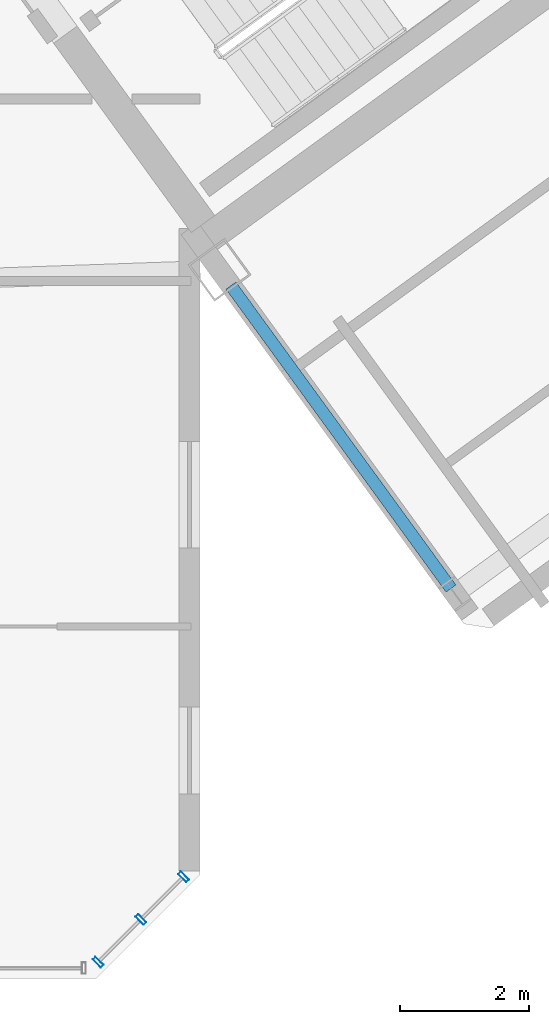
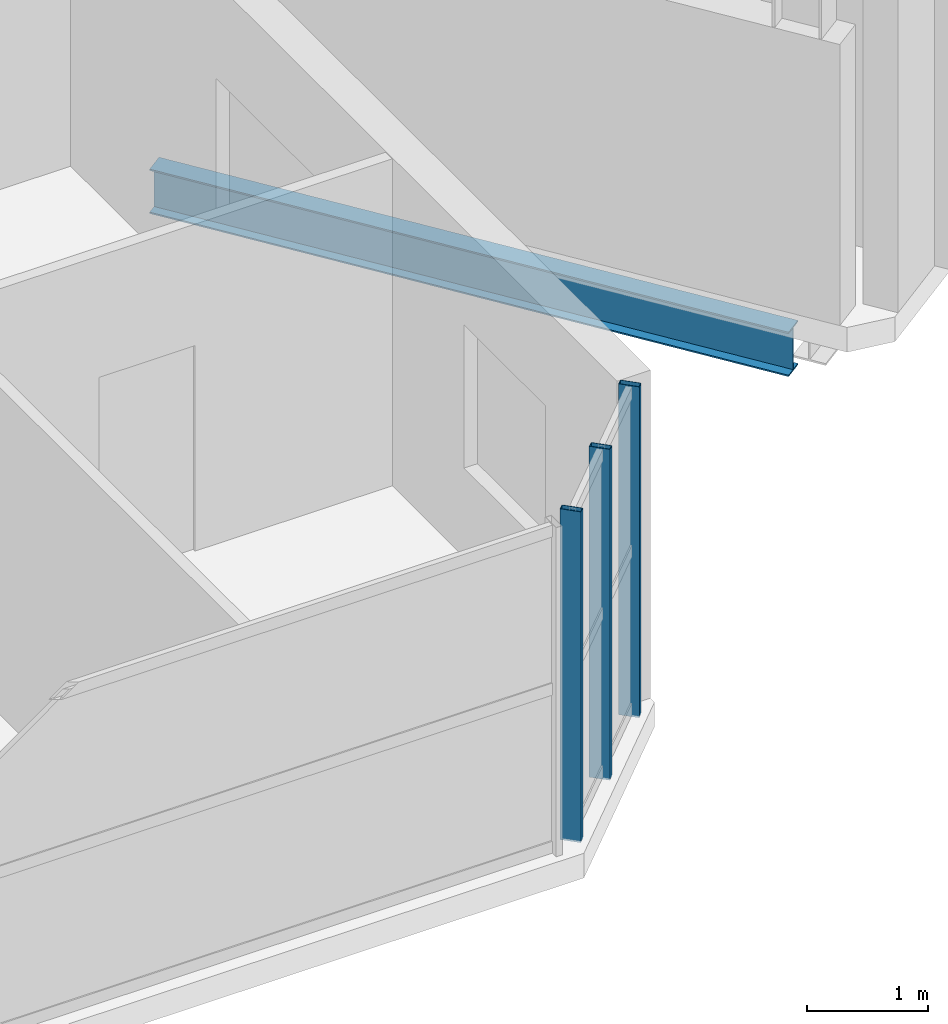
# One storey, part 10 of 25: 3 members, 1 beam, 1 element without a shape of its own.
"""IFC4 building model written with IfcOpenShell, lengths in metres."""

from ifc_helpers import new_model, si_unit, direction, frame, origin, origin_2d, place, context, subcontext, project, spatial, hollow_rectangle, i_section, extrude, source, transform, mapped, material, material_profile, profile_set, type_object, element, aggregate, save


model = new_model("IFC4")

# Units and contexts
model_context = context("Model", 3, precision=1e-05, world=origin(), true_north=direction((0.0, 1.0)))
body_context = subcontext(model_context, "Body", "Model", "MODEL_VIEW")
ifc_project = project(units=[si_unit("LENGTHUNIT", "METRE"), si_unit("AREAUNIT", "SQUARE_METRE"), si_unit("VOLUMEUNIT", "CUBIC_METRE"), si_unit("PLANEANGLEUNIT", "RADIAN"), si_unit("MASSUNIT", "GRAM", prefix="KILO")], contexts=[model_context])

# Site, building, storey
site_placement = place(None, origin())
site = spatial("IfcSite", under=ifc_project, at=site_placement, CompositionType="ELEMENT")
building_placement = place(site_placement, origin())
building = spatial("IfcBuilding", under=site, at=building_placement, Name="Tlacorven Tower", CompositionType="ELEMENT")
storey_placement = place(building_placement, frame((0.0, 0.0, 251.10009765625)))
storey = spatial("IfcBuildingStorey", under=building, at=storey_placement, Name="L63", CompositionType="ELEMENT", Elevation=251.10009765625)

# Beam
ifc_material_1 = material(Name="Steel S355J2", Category="steel")
ifc_material_profile_1 = material_profile(ifc_material_1, i_section(OverallWidth=0.18994140625, OverallDepth=0.449951171875, WebThickness=0.009521484375, FlangeThickness=0.0146484375, at=origin_2d()), Name="IPE 450")
ifc_profile_set_1 = profile_set([ifc_material_profile_1], Name="Steel S355J2")
beam_type = type_object("IfcBeamType", Name="BM-TWR-450", PredefinedType="BEAM", material=ifc_profile_set_1)
shared_shape_1 = source(origin(), body_context, "Body", "SweptSolid", [
    extrude(i_section(OverallWidth=0.18994140625, OverallDepth=0.449951171875, WebThickness=0.009521484375, FlangeThickness=0.0146484375, at=origin_2d()), origin(), (0.0, 0.0, 1.0), 5.800048828125),
])
beam_placement = place(storey_placement, frame((56.291015625, 7.83837890625, -0.47509765625), z_axis=(-0.587781191743, 0.809019944521, 0.0), x_axis=(-0.809019944521, -0.587781191743, 0.0)))
element("IfcBeam", 1, at=beam_placement, inside=storey, type_object=beam_type, Name="L63 beam BM-L63-ET1-1", PredefinedType="BEAM", context=body_context, shape_type="MappedRepresentation", body=[
    mapped(shared_shape_1, transform((0.0, 0.0, 0.0), scale=1.0)),
])

# Curtain wall, members
ifc_material_2 = material(Name="Dark solar low-E double glazing in aluminium frame", Category="aluminium")
curtain_wall_type = type_object("IfcCurtainWallType", Name="CW-TWR-HIGH", PredefinedType="USERDEFINED", material=ifc_material_2)
curtain_wall_placement = place(storey_placement, origin())
curtain_wall = element("IfcCurtainWall", 2, at=curtain_wall_placement, inside=storey, type_object=curtain_wall_type, Name="L63 CW-TWR-HIGH Curtain Wall 290", ObjectType="UNITISED CURTAIN WALL", PredefinedType="USERDEFINED")
ifc_material_3 = material(Name="Aluminium 6063-T6 anodised", Category="aluminium")
ifc_material_profile_2 = material_profile(ifc_material_3, hollow_rectangle(XDim=0.06005859375, YDim=0.179931640625, WallThickness=0.00390625, at=origin_2d()), Name="ALU MULLION 60X180")
ifc_profile_set_2 = profile_set([ifc_material_profile_2], Name="Aluminium 6063-T6 anodised")
member_type = type_object("IfcMemberType", Name="CWM-03", PredefinedType="MULLION", material=ifc_profile_set_2)
shared_shape_2 = source(origin(), body_context, "Body", "SweptSolid", [
    extrude(hollow_rectangle(XDim=0.06005859375, YDim=0.179931640625, WallThickness=0.00390625, at=origin_2d()), origin(), (0.0, 0.0, 1.0), 3.349853515625),
])
member_1_placement = place(storey_placement, frame((52.148193359375, 3.374267578125, -0.02001953125), z_axis=(0.0, 0.0, 1.0), x_axis=(-0.707106781187, -0.707106781187, 0.0)))
member_1 = element("IfcMember", 3, at=member_1_placement, type_object=member_type, Name="CW-L63-290 Mullion 1", PredefinedType="MULLION", context=body_context, shape_type="MappedRepresentation", body=[
    mapped(shared_shape_2, transform((0.0, 0.0, 0.0), scale=1.0)),
])
member_2_placement = place(storey_placement, frame((51.48681640625, 2.713134765625, -0.02001953125), z_axis=(0.0, 0.0, 1.0), x_axis=(-0.707106781187, -0.707106781187, 0.0)))
member_2 = element("IfcMember", 4, at=member_2_placement, type_object=member_type, Name="CW-L63-290 Mullion 2", PredefinedType="MULLION", context=body_context, shape_type="MappedRepresentation", body=[
    mapped(shared_shape_2, transform((0.0, 0.0, 0.0), scale=1.0)),
])
member_3_placement = place(storey_placement, frame((50.82568359375, 2.052001953125, -0.02001953125), z_axis=(0.0, 0.0, 1.0), x_axis=(-0.707106781187, -0.707106781187, 0.0)))
member_3 = element("IfcMember", 5, at=member_3_placement, type_object=member_type, Name="CW-L63-290 Mullion 3", PredefinedType="MULLION", context=body_context, shape_type="MappedRepresentation", body=[
    mapped(shared_shape_2, transform((0.0, 0.0, 0.0), scale=1.0)),
])
aggregate(curtain_wall, [member_1, member_2, member_3])

save(model, "model.ifc")
